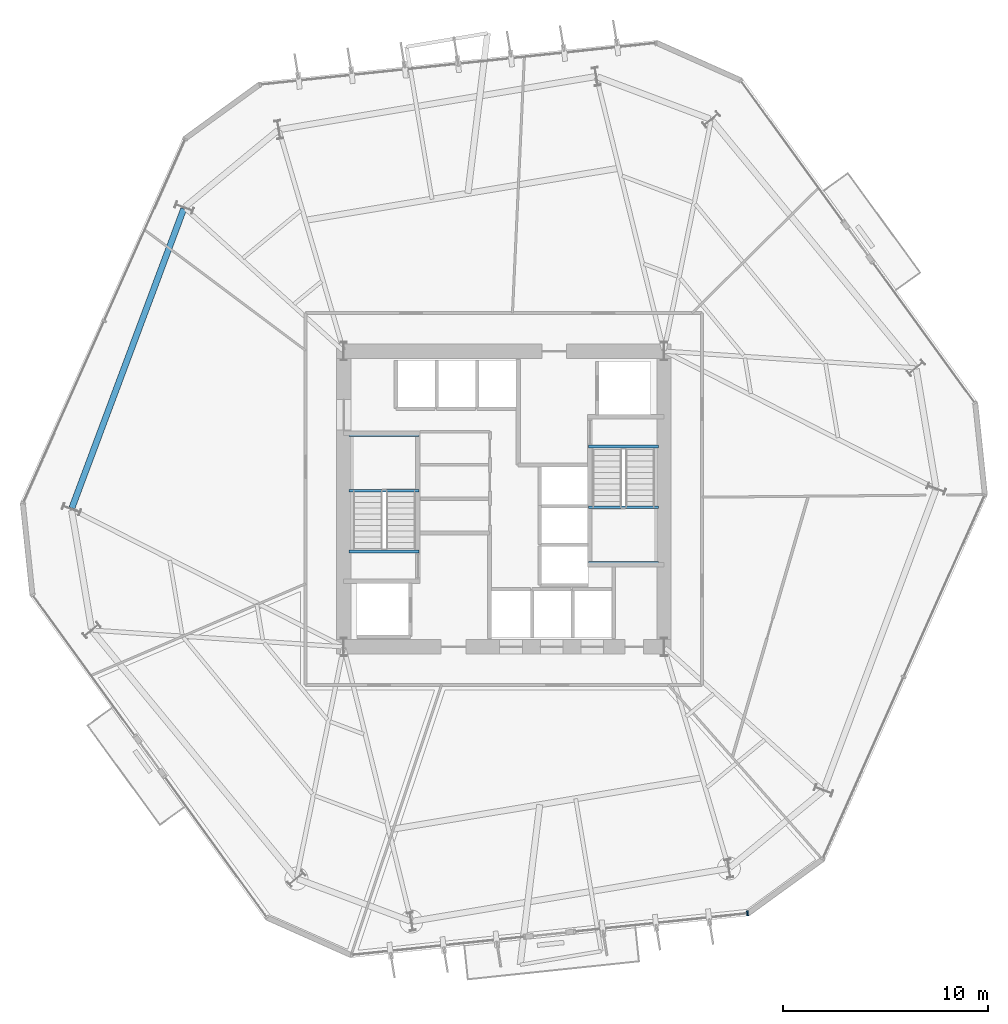
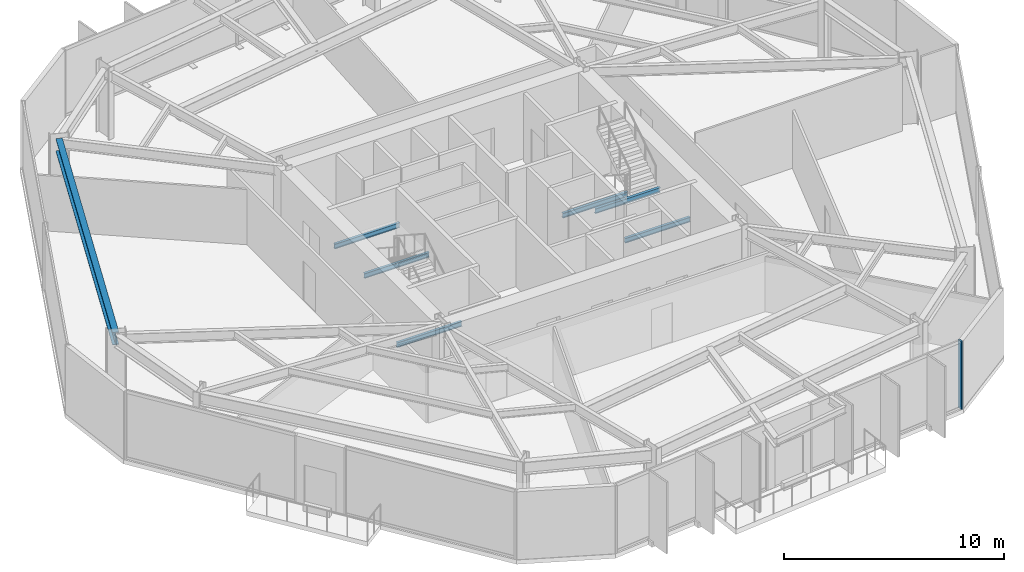
# One storey, part 3 of 11: 7 beams, 1 member, 1 element without a shape of its own.
"""IFC4 building model written with IfcOpenShell, lengths in metres."""

import ifcopenshell
import ifcopenshell.guid

model = None  # the IFC model being written
_history = None  # IfcOwnerHistory: only IFC2X3 demands one
_inside = {}  # id of a spatial element -> (the spatial element, [elements in it])
_under = {}  # id of a project, library or spatial element -> (it, [spatial elements below it])
_declared = {}  # id of a project -> (the project, [libraries it declares])
_typed = {}  # id of a type object -> (the type object, [elements of that type])
_made_of = {}  # id of a material, layer set ... -> (it, [elements and type objects made of it])


def new_model(schema):
    """Start an empty IFC model of exactly this schema.

    Asked for "IFC4X3", IfcOpenShell would pick the latest addendum, in which some entities
    have other attributes; the version numbers below select the first issue.
    IFC2X3 requires an IfcOwnerHistory on every rooted entity: one is made here for all.
    """
    global model, _history
    if schema == "IFC4X3":
        model = ifcopenshell.file(schema_version=(4, 3, 0, 0))
    else:
        model = ifcopenshell.file(schema=schema)
    _inside.clear()
    _under.clear()
    _declared.clear()
    _typed.clear()
    _made_of.clear()
    _history = None
    if model.schema == "IFC2X3":
        org = make("IfcOrganization", Name="unknown")
        user = make(
            "IfcPersonAndOrganization",
            ThePerson=make("IfcPerson", FamilyName="unknown"),
            TheOrganization=org,
        )
        app = make(
            "IfcApplication",
            ApplicationDeveloper=org,
            Version="unknown",
            ApplicationFullName="unknown",
            ApplicationIdentifier="unknown",
        )
        _history = make(
            "IfcOwnerHistory",
            OwningUser=user,
            OwningApplication=app,
            ChangeAction="ADDED",
            CreationDate=0,
        )
    return model


def make(cls, **values):
    """One entity of the class cls with the attributes given. An attribute that is None is left unset."""
    return model.create_entity(
        cls, **{name: value for name, value in values.items() if value is not None}
    )


def rooted(cls, **values):
    """An entity with a GlobalId (a new one), such as an element, a storey or a relation."""
    return make(cls, GlobalId=ifcopenshell.guid.new(), OwnerHistory=_history, **values)


def si_unit(unit_type, name, prefix=None):
    """IfcSIUnit, for example si_unit("LENGTHUNIT", "METRE", prefix="MILLI")."""
    return make("IfcSIUnit", UnitType=unit_type, Prefix=prefix, Name=name)


def assignment(units):
    """IfcUnitAssignment: the units of a project."""
    return None if units is None else make("IfcUnitAssignment", Units=units)


def point(xyz):
    """IfcCartesianPoint."""
    return None if xyz is None else make("IfcCartesianPoint", Coordinates=xyz)


def direction(xyz):
    """IfcDirection."""
    return None if xyz is None else make("IfcDirection", DirectionRatios=xyz)


def frame(location, z_axis=None, x_axis=None):
    """IfcAxis2Placement3D, a coordinate frame: its origin and axes. An axis left out is left unset."""
    return make(
        "IfcAxis2Placement3D",
        Location=point(location),
        Axis=direction(z_axis),
        RefDirection=direction(x_axis),
    )


def frame_2d(location, x_axis=None):
    """IfcAxis2Placement2D, a coordinate frame in the plane: its origin and x axis."""
    return make(
        "IfcAxis2Placement2D", Location=point(location), RefDirection=direction(x_axis)
    )


def origin():
    """The frame at (0, 0, 0) with its axes left unset."""
    return frame((0.0, 0.0, 0.0))


def origin_2d():
    """The frame at (0, 0) in the plane with its x axis left unset."""
    return frame_2d((0.0, 0.0))


def place(relative_to, where):
    """IfcLocalPlacement: puts the frame where relative to a parent placement (None: the world)."""
    return make(
        "IfcLocalPlacement", PlacementRelTo=relative_to, RelativePlacement=where
    )


def context(
    kind, dimensions, precision=None, world=None, true_north=None, identifier=None
):
    """IfcGeometricRepresentationContext, for example the 3D "Model" context."""
    return make(
        "IfcGeometricRepresentationContext",
        ContextIdentifier=identifier,
        ContextType=kind,
        CoordinateSpaceDimension=dimensions,
        Precision=precision,
        WorldCoordinateSystem=world,
        TrueNorth=true_north,
    )


def subcontext(parent, identifier, kind, view, scale=None):
    """IfcGeometricRepresentationSubContext, for example "Body" below "Model"."""
    return make(
        "IfcGeometricRepresentationSubContext",
        ContextIdentifier=identifier,
        ContextType=kind,
        ParentContext=parent,
        TargetScale=scale,
        TargetView=view,
    )


def project(units=None, contexts=None):
    """IfcProject with its units and contexts."""
    return rooted(
        "IfcProject",
        Name="project",
        RepresentationContexts=contexts,
        UnitsInContext=assignment(units),
    )


def spatial(cls, under=None, at=None, **own):
    """A site, building, storey or space (cls), placed at a placement, below another one or the project."""
    s = rooted(cls, ObjectPlacement=at, **own)
    if under is not None:
        _under.setdefault(under.id(), (under, []))[1].append(s)
    return s


def profile(cls, at=None, kind="AREA", **sizes):
    """A parametric profile (cls). Its sizes go by their IFC names, for example OverallWidth=200.0."""
    return make(cls, ProfileType=kind, Position=at, **sizes)


def rectangle(**sizes):
    """IfcRectangleProfileDef."""
    return profile("IfcRectangleProfileDef", **sizes)


def i_section(**sizes):
    """IfcIShapeProfileDef."""
    return profile("IfcIShapeProfileDef", **sizes)


def extrude(swept, where, along, depth):
    """IfcExtrudedAreaSolid: the profile swept, set in the frame where, extruded along a direction by depth."""
    return make(
        "IfcExtrudedAreaSolid",
        SweptArea=swept,
        Position=where,
        ExtrudedDirection=direction(along),
        Depth=depth,
    )


def shape(context_of_items, identifier, shape_type, items):
    """IfcShapeRepresentation: the items that make up one representation, for example the "Body"."""
    return make(
        "IfcShapeRepresentation",
        ContextOfItems=context_of_items,
        RepresentationIdentifier=identifier,
        RepresentationType=shape_type,
        Items=items,
    )


def material(Name=None, Category=None):
    """IfcMaterial."""
    return make("IfcMaterial", Name=Name, Category=Category)


def layer(
    of_material, thickness, ventilated=None, Name=None, Category=None, Priority=None
):
    """IfcMaterialLayer: one layer of a wall or slab, of a material (None: an air gap)."""
    return make(
        "IfcMaterialLayer",
        Material=of_material,
        LayerThickness=thickness,
        IsVentilated=ventilated,
        Name=Name,
        Category=Category,
        Priority=Priority,
    )


def layer_set(layers, Name=None):
    """IfcMaterialLayerSet."""
    return make("IfcMaterialLayerSet", MaterialLayers=layers, LayerSetName=Name)


def material_profile(
    of_material, cross_section, Name=None, Category=None, Priority=None
):
    """IfcMaterialProfile: a cross section and its material."""
    return make(
        "IfcMaterialProfile",
        Name=Name,
        Material=of_material,
        Profile=cross_section,
        Priority=Priority,
        Category=Category,
    )


def profile_set(profiles, Name=None, composite=None):
    """IfcMaterialProfileSet."""
    return make(
        "IfcMaterialProfileSet",
        Name=Name,
        MaterialProfiles=profiles,
        CompositeProfile=composite,
    )


def made_of(thing, what):
    """Note that an element or type object is made of a material, layer set ...; save() writes the relation."""
    if what is not None:
        _made_of.setdefault(what.id(), (what, []))[1].append(thing)
    return thing


def type_object(cls, material=None, **own):
    """A type object (cls), such as IfcWallType, which elements share."""
    return made_of(rooted(cls, **own), material)


def element(
    cls,
    number,
    at=None,
    inside=None,
    cuts=None,
    type_object=None,
    material=None,
    context=None,
    identifier="Body",
    shape_type=None,
    held_by="IfcProductDefinitionShape",
    body=None,
    shapes=None,
    **own,
):
    """One element of the class cls, such as IfcWall. Its Tag is "e" and its number.

    at: its placement. inside: the storey or other place that contains it. cuts: it is an
    opening in that element (IfcRelVoidsElement). A single representation is given by context,
    identifier, shape_type and body (its items); several are given by shapes. held_by: the class
    of the entity that holds the representations. save() writes the other relations.
    """
    e = rooted(cls, Tag="e%d" % number, ObjectPlacement=at, **own)
    if body is not None:
        shapes = [shape(context, identifier, shape_type, body)]
    if shapes is not None:
        e.Representation = make(held_by, Representations=shapes)
    if inside is not None:
        _inside.setdefault(inside.id(), (inside, []))[1].append(e)
    if cuts is not None:
        rooted(
            "IfcRelVoidsElement", RelatingBuildingElement=cuts, RelatedOpeningElement=e
        )
    if type_object is not None:
        _typed.setdefault(type_object.id(), (type_object, []))[1].append(e)
    return made_of(e, material)


def aggregate(whole, parts):
    """IfcRelAggregates: a whole, such as a stair, and the parts it consists of."""
    return rooted("IfcRelAggregates", RelatingObject=whole, RelatedObjects=parts)


def save(model, path):
    """Write the relations noted so far, then the file.

    IfcRelAggregates (storeys below a building ...), IfcRelContainedInSpatialStructure (elements
    in a storey), IfcRelDefinesByType, IfcRelAssociatesMaterial and IfcRelDeclares: one each for
    every whole, place, type object, material and project.
    """
    for whole, parts in _under.values():
        aggregate(whole, parts)
    for where, things in _inside.values():
        rooted(
            "IfcRelContainedInSpatialStructure",
            RelatedElements=things,
            RelatingStructure=where,
        )
    for kind, things in _typed.values():
        rooted("IfcRelDefinesByType", RelatedObjects=things, RelatingType=kind)
    for what, things in _made_of.values():
        rooted("IfcRelAssociatesMaterial", RelatedObjects=things, RelatingMaterial=what)
    for by, libraries in _declared.values():
        rooted("IfcRelDeclares", RelatingContext=by, RelatedDefinitions=libraries)
    model.write(path)


model = new_model("IFC4")

# Units and contexts
model_context = context("Model", 3, precision=1e-05, world=origin(), true_north=direction((0.0, 1.0)))
body_context = subcontext(model_context, "Body", "Model", "MODEL_VIEW")
ifc_project = project(units=[si_unit("LENGTHUNIT", "METRE"), si_unit("AREAUNIT", "SQUARE_METRE"), si_unit("VOLUMEUNIT", "CUBIC_METRE"), si_unit("PLANEANGLEUNIT", "RADIAN"), si_unit("MASSUNIT", "GRAM", prefix="KILO")], contexts=[model_context])

# Site, building, storey
site_placement = place(None, origin())
site = spatial("IfcSite", under=ifc_project, at=site_placement, CompositionType="ELEMENT")
building_placement = place(site_placement, origin())
building = spatial("IfcBuilding", under=site, at=building_placement, Name="Kranzbogen Civic Tower", CompositionType="ELEMENT")
storey_placement = place(building_placement, frame((0.0, 0.0, 44.0)))
storey = spatial("IfcBuildingStorey", under=building, at=storey_placement, Name="L10", CompositionType="ELEMENT", Elevation=44.0)

# Curtain wall, member
ifc_material_1 = material(Name="Pale Anodised Aluminium", Category="aluminium")
ifc_layer = layer(ifc_material_1, 0.219970703125, Name="Pale Anodised Aluminium")
ifc_layer_set = layer_set([ifc_layer], Name="Pale Anodised Aluminium")
curtain_wall_type = type_object("IfcCurtainWallType", Name="Zone 1 Stick Curtain Wall System CW-02", PredefinedType="USERDEFINED", material=ifc_layer_set)
curtain_wall_placement = place(storey_placement, origin())
curtain_wall = element("IfcCurtainWall", 1, at=curtain_wall_placement, inside=storey, type_object=curtain_wall_type, Name="L10 curtain wall CW-L10-F5-S2", ObjectType="STICK CURTAIN WALL", PredefinedType="USERDEFINED")
ifc_material_profile_1 = material_profile(ifc_material_1, rectangle(XDim=0.080078125, YDim=0.239990234375, at=origin_2d()), Name="ALU-M 80x240")
ifc_profile_set_1 = profile_set([ifc_material_profile_1], Name="Pale Anodised Aluminium")
member_type = type_object("IfcMemberType", Name="Curtain Wall Mullion ALU-M 80x240", PredefinedType="MULLION", material=ifc_profile_set_1)
member_placement = place(storey_placement, frame((36.865234375, 4.81982421875, 0.0), z_axis=(0.0, 0.0, 1.0), x_axis=(0.994517664559, 0.104568708893, 0.0)))
member = element("IfcMember", 2, at=member_placement, type_object=member_type, Name="CW-02 mullion 2", PredefinedType="MULLION", context=body_context, shape_type="SweptSolid", body=[
    extrude(rectangle(XDim=0.080078125, YDim=0.239990234375, at=origin_2d()), origin(), (0.0, 0.0, 1.0), 3.760009765625),
])
aggregate(curtain_wall, [member])

# Beams
ifc_material_2 = material(Name="Steel S355", Category="steel")
ifc_material_profile_2 = material_profile(ifc_material_2, i_section(OverallWidth=0.300048828125, OverallDepth=0.699951171875, WebThickness=0.01708984375, FlangeThickness=0.031982421875, at=origin_2d()), Name="HEB 700")
ifc_profile_set_2 = profile_set([ifc_material_profile_2], Name="Steel S355")
beam_type_1 = type_object("IfcBeamType", Name="Perimeter Tube Spandrel Beam HEB 700", PredefinedType="SPANDREL", material=ifc_profile_set_2)
beam_placement = place(storey_placement, frame((9.412109375, 39.133056640625, 3.409912109375), z_axis=(-0.350172267932, -0.936685316833, 0.0), x_axis=(0.936685316833, -0.350172267932, 0.0)))
element("IfcBeam", 3, at=beam_placement, inside=storey, type_object=beam_type_1, Name="L10 perimeter spandrel beam 12", PredefinedType="SPANDREL", context=body_context, shape_type="SweptSolid", body=[
    extrude(i_section(OverallWidth=0.300048828125, OverallDepth=0.699951171875, WebThickness=0.01708984375, FlangeThickness=0.031982421875, at=origin_2d()), origin(), (0.0, 0.0, 1.0), 15.55810546875),
])
ifc_material_profile_3 = material_profile(ifc_material_2, i_section(OverallWidth=0.135009765625, OverallDepth=0.27001953125, WebThickness=0.006591796875, FlangeThickness=0.01025390625, at=origin_2d()), Name="IPE 270")
ifc_profile_set_3 = profile_set([ifc_material_profile_3], Name="Steel S355")
beam_type_2 = type_object("IfcBeamType", Name="Stair Landing Support Beam IPE 270", PredefinedType="JOIST", material=ifc_profile_set_3)
for number, where, z_axis, x_axis, name in (
    (4, (20.8798828125, 22.43994140625, -0.375), (-1.0, 0.0, 0.0), (0.0, -1.0, 0.0), "L10 ST-T1 stair floor header beam"),
    (5, (20.8798828125, 25.39990234375, 1.6650390625), (-1.0, 0.0, 0.0), (0.0, -1.0, 0.0), "L10 ST-T1 landing support beam 1.1"),
    (6, (20.8798828125, 28.10009765625, 1.6650390625), (-1.0, 0.0, 0.0), (0.0, -1.0, 0.0), "L10 ST-T1 landing support beam 1.2"),
    (7, (29.1201171875, 27.56005859375, -0.375), (1.0, 0.0, 0.0), (0.0, 1.0, 0.0), "L10 ST-T2 stair floor header beam"),
    (8, (29.1201171875, 24.60009765625, 1.6650390625), (1.0, 0.0, 0.0), (0.0, 1.0, 0.0), "L10 ST-T2 landing support beam 1.1"),
    (9, (29.1201171875, 21.89990234375, 1.6650390625), (1.0, 0.0, 0.0), (0.0, 1.0, 0.0), "L10 ST-T2 landing support beam 1.2"),
):
    element("IfcBeam", number, at=place(storey_placement, frame(where, z_axis=z_axis, x_axis=x_axis)), inside=storey, type_object=beam_type_2, Name=name, PredefinedType="JOIST", context=body_context, shape_type="SweptSolid", body=[
        extrude(i_section(OverallWidth=0.135009765625, OverallDepth=0.27001953125, WebThickness=0.006591796875, FlangeThickness=0.01025390625, at=origin_2d()), origin(), (0.0, 0.0, 1.0), 3.409912109375),
    ])

save(model, "model.ifc")
